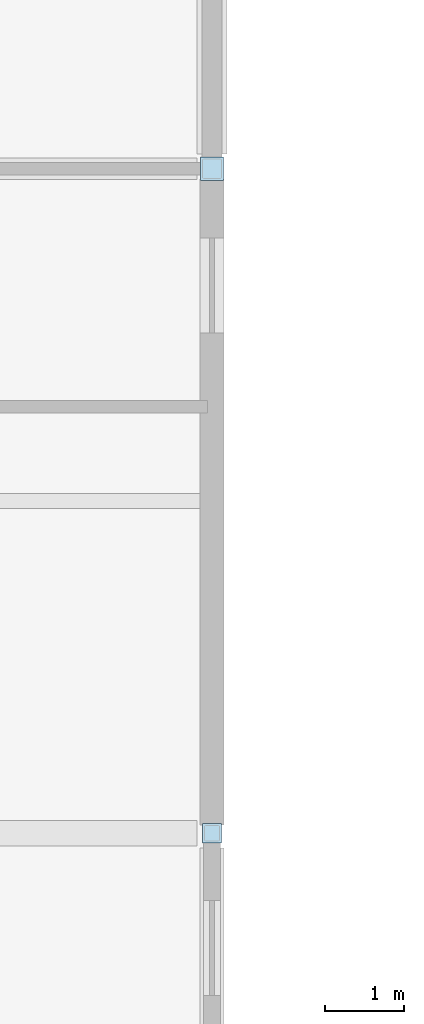
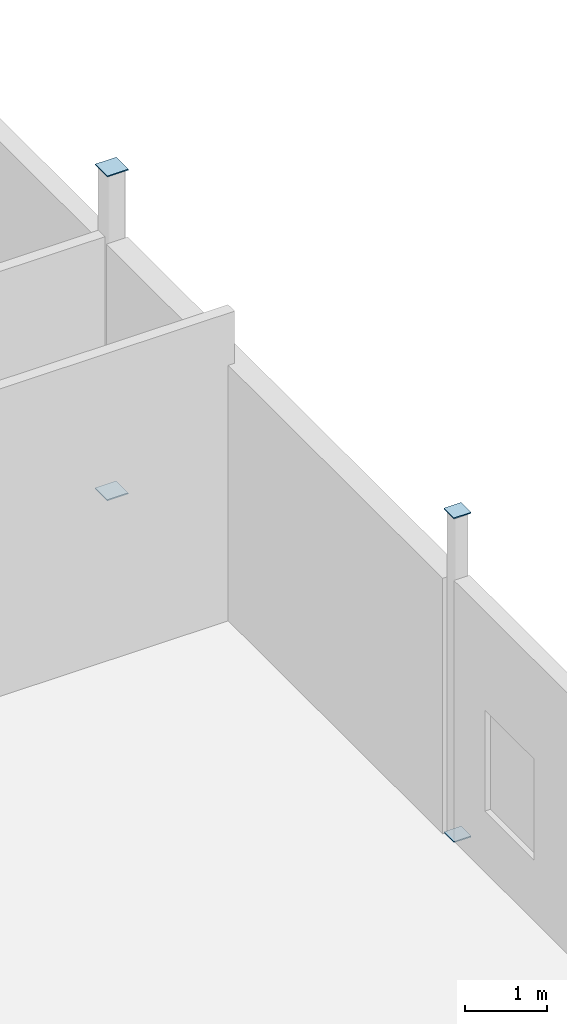
# One storey, part 26 of 45: 4 plates.
"""IFC4 building model written with IfcOpenShell, lengths in metres."""

from ifc_helpers import new_model, si_unit, direction, frame, origin, origin_2d, place, context, subcontext, project, spatial, rectangle, extrude, material, layer, layer_set, type_object, element, save


model = new_model("IFC4")

# Units and contexts
model_context = context("Model", 3, precision=1e-05, world=origin(), true_north=direction((0.0, 1.0)))
body_context = subcontext(model_context, "Body", "Model", "MODEL_VIEW")
ifc_project = project(units=[si_unit("LENGTHUNIT", "METRE"), si_unit("AREAUNIT", "SQUARE_METRE"), si_unit("VOLUMEUNIT", "CUBIC_METRE"), si_unit("PLANEANGLEUNIT", "RADIAN"), si_unit("MASSUNIT", "GRAM", prefix="KILO")], contexts=[model_context])

# Site, building, storey
site_placement = place(None, origin())
site = spatial("IfcSite", under=ifc_project, at=site_placement, CompositionType="ELEMENT")
building_placement = place(site_placement, origin())
building = spatial("IfcBuilding", under=site, at=building_placement, Name="Calvrana Isthmian Art Gallery", CompositionType="ELEMENT")
storey_placement = place(building_placement, frame((0.0, 0.0, 19.800048828125)))
storey = spatial("IfcBuildingStorey", under=building, at=storey_placement, Name="L04", CompositionType="ELEMENT", Elevation=19.800048828125)

# Plates
ifc_material = material(Name="Steel ASTM A572 Gr 50", Category="steel")
ifc_layer = layer(ifc_material, 0.01611328125, Name="Steel ASTM A572 Gr 50")
ifc_layer_set = layer_set([ifc_layer], Name="Steel ASTM A572 Gr 50")
plate_type = type_object("IfcPlateType", Name="PL-CAP-16", PredefinedType="SHEET", material=ifc_layer_set)
for number, where, z_axis, x_axis, name in (
    (1, (80.39990234375, 30.0, -0.008056640625), (0.0, 0.0, 1.0), (1.0, 0.0, 0.0), "Hollow section end cap plate 189"),
    (2, (80.39990234375, 30.0, 4.7919921875), (0.0, 0.0, 1.0), (1.0, 0.0, 0.0), "Hollow section end cap plate 190"),
):
    element("IfcPlate", number, at=place(storey_placement, frame(where, z_axis=z_axis, x_axis=x_axis)), inside=storey, type_object=plate_type, Name=name, PredefinedType="SHEET", context=body_context, shape_type="SweptSolid", body=[
        extrude(rectangle(XDim=0.2431640625, YDim=0.2431640625, at=origin_2d()), origin(), (0.0, 0.0, 1.0), 0.01611328125),
    ])
for number, where, z_axis, x_axis, name in (
    (3, (80.39990234375, 38.39990234375, -0.008056640625), (0.0, 0.0, 1.0), (1.0, 0.0, 0.0), "Hollow section end cap plate 191"),
    (4, (80.39990234375, 38.39990234375, 4.7919921875), (0.0, 0.0, 1.0), (1.0, 0.0, 0.0), "Hollow section end cap plate 192"),
):
    element("IfcPlate", number, at=place(storey_placement, frame(where, z_axis=z_axis, x_axis=x_axis)), inside=storey, type_object=plate_type, Name=name, PredefinedType="SHEET", context=body_context, shape_type="SweptSolid", body=[
        extrude(rectangle(XDim=0.2939453125, YDim=0.2939453125, at=origin_2d()), origin(), (0.0, 0.0, 1.0), 0.01611328125),
    ])

save(model, "model.ifc")
